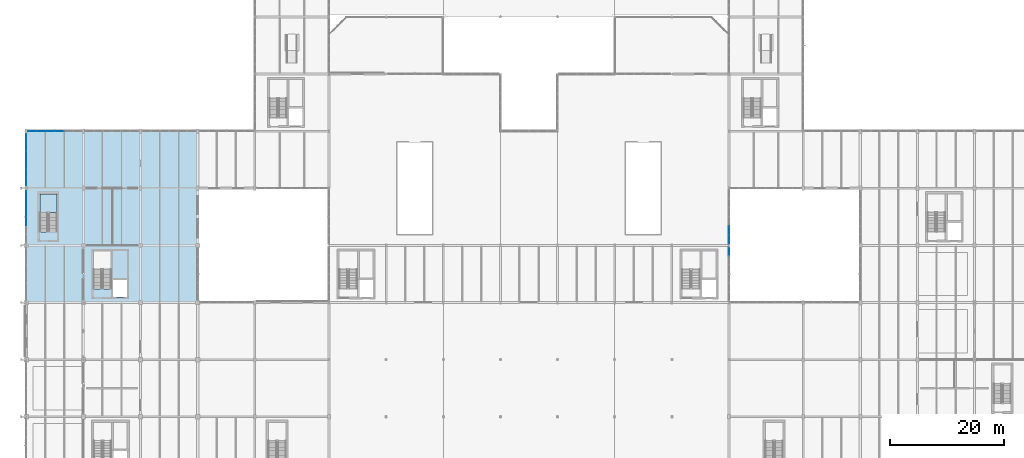
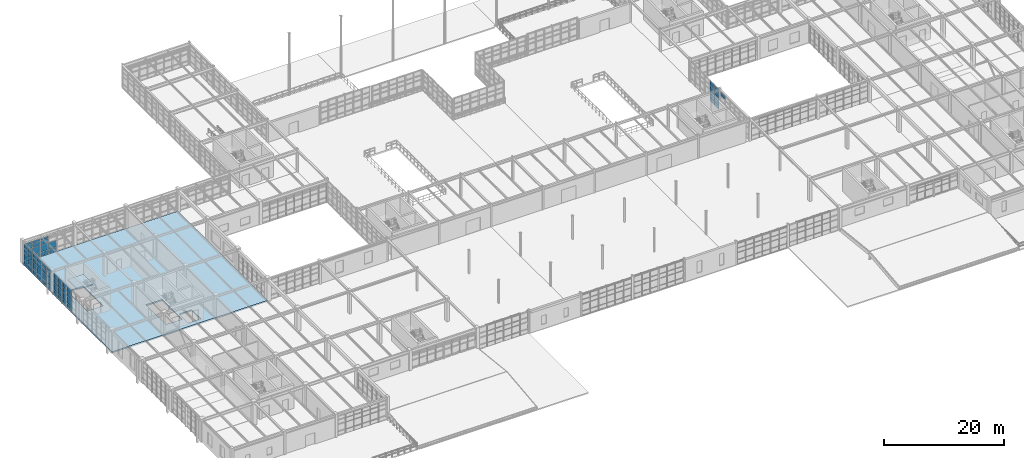
# One storey, part 88 of 139: 63 plates, 2 slabs, 6 elements without a shape of their own.
"""IFC4 building model written with IfcOpenShell, lengths in metres."""

from ifc_helpers import new_model, si_unit, direction, frame, origin, origin_2d, place, context, subcontext, project, spatial, polyline, rectangle, outline, extrude, material, layer, layer_set, type_object, element, aggregate, save


model = new_model("IFC4")

# Units and contexts
model_context = context("Model", 3, precision=1e-05, world=origin(), true_north=direction((0.0, 1.0)))
body_context = subcontext(model_context, "Body", "Model", "MODEL_VIEW")
ifc_project = project(units=[si_unit("LENGTHUNIT", "METRE"), si_unit("AREAUNIT", "SQUARE_METRE"), si_unit("VOLUMEUNIT", "CUBIC_METRE"), si_unit("PLANEANGLEUNIT", "RADIAN"), si_unit("MASSUNIT", "GRAM", prefix="KILO"), si_unit("THERMODYNAMICTEMPERATUREUNIT", "KELVIN"), si_unit("POWERUNIT", "WATT")], contexts=[model_context])

# Site, building, storey
site_placement = place(None, origin())
site = spatial("IfcSite", under=ifc_project, at=site_placement, CompositionType="ELEMENT")
building_placement = place(site_placement, origin())
building = spatial("IfcBuilding", under=site, at=building_placement, Name="Korenveer Ferry Terminal", CompositionType="ELEMENT")
storey_placement = place(building_placement, frame((0.0, 0.0, 5.39990234375)))
storey = spatial("IfcBuildingStorey", under=building, at=storey_placement, Name="L01", CompositionType="ELEMENT", Elevation=5.39990234375)

# Curtain wall, plates
ifc_material_1 = material(Name="Unitised bronze-and-glass curtain wall", Category="glass")
ifc_layer_1 = layer(ifc_material_1, 0.159912109375)
ifc_layer_set_1 = layer_set([ifc_layer_1], Name="Unitised bronze-and-glass curtain wall")
curtain_wall_type_1 = type_object("IfcCurtainWallType", Name="ENV-CW-60", PredefinedType="USERDEFINED", material=ifc_layer_set_1)
curtain_wall_1_placement = place(storey_placement, frame((0.0, 60.405029296875, 0.0)))
curtain_wall_1 = element("IfcCurtainWall", 1, at=curtain_wall_1_placement, inside=storey, type_object=curtain_wall_type_1, Name="Lancet curtain wall CWX-L01-X0-0-Y60-70", ObjectType="UNITISED CURTAIN WALL", PredefinedType="USERDEFINED")
ifc_material_2 = material(Name="Low-iron solar-control double glazing", Category="glass")
ifc_layer_2 = layer(ifc_material_2, 0.028076171875)
ifc_layer_set_2 = layer_set([ifc_layer_2], Name="Low-iron solar-control double glazing")
plate_type_1 = type_object("IfcPlateType", Name="ENV-CWP-GLZ28", PredefinedType="CURTAIN_PANEL", material=ifc_layer_set_2)
plate_1_placement = place(storey_placement, frame((0.0, 64.2236328125, 0.06005859375), z_axis=(0.0, 0.0, 1.0), x_axis=(0.0, 1.0, 0.0)))
plate_1 = element("IfcPlate", 2, at=plate_1_placement, type_object=plate_type_1, Name="CW-60 panel 3.1", PredefinedType="CURTAIN_PANEL", context=body_context, shape_type="SweptSolid", body=[
    extrude(rectangle(XDim=1.467529296875, YDim=0.028076171875, at=origin_2d()), origin(), (0.0, 0.0, 1.0), 0.81005859375),
])
plate_2_placement = place(storey_placement, frame((0.0, 64.2236328125, 0.93017578125), z_axis=(0.0, 0.0, 1.0), x_axis=(0.0, 1.0, 0.0)))
plate_2 = element("IfcPlate", 3, at=plate_2_placement, type_object=plate_type_1, Name="CW-60 panel 3.2", PredefinedType="CURTAIN_PANEL", context=body_context, shape_type="SweptSolid", body=[
    extrude(rectangle(XDim=1.467529296875, YDim=0.028076171875, at=origin_2d()), origin(), (0.0, 0.0, 1.0), 1.389892578125),
])
plate_3_placement = place(storey_placement, frame((0.0, 64.2236328125, 2.3798828125), z_axis=(0.0, 0.0, 1.0), x_axis=(0.0, 1.0, 0.0)))
plate_3 = element("IfcPlate", 4, at=plate_3_placement, type_object=plate_type_1, Name="CW-60 panel 3.3", PredefinedType="CURTAIN_PANEL", context=body_context, shape_type="SweptSolid", body=[
    extrude(rectangle(XDim=1.467529296875, YDim=0.028076171875, at=origin_2d()), origin(), (0.0, 0.0, 1.0), 0.840087890625),
])
plate_4_placement = place(storey_placement, frame((0.0, 64.2236328125, 3.2802734375), z_axis=(0.0, 0.0, 1.0), x_axis=(0.0, 1.0, 0.0)))
plate_4 = element("IfcPlate", 5, at=plate_4_placement, type_object=plate_type_1, Name="CW-60 panel 3.4", PredefinedType="CURTAIN_PANEL", context=body_context, shape_type="SweptSolid", body=[
    extrude(rectangle(XDim=1.467529296875, YDim=0.028076171875, at=origin_2d()), origin(), (0.0, 0.0, 1.0), 0.929931640625),
])
plate_5_placement = place(storey_placement, frame((0.0, 65.751220703125, 0.06005859375), z_axis=(0.0, 0.0, 1.0), x_axis=(0.0, 1.0, 0.0)))
plate_5 = element("IfcPlate", 6, at=plate_5_placement, type_object=plate_type_1, Name="CW-60 panel 4.1", PredefinedType="CURTAIN_PANEL", context=body_context, shape_type="SweptSolid", body=[
    extrude(rectangle(XDim=1.467529296875, YDim=0.028076171875, at=origin_2d()), origin(), (0.0, 0.0, 1.0), 0.81005859375),
])
plate_6_placement = place(storey_placement, frame((0.0, 65.751220703125, 0.93017578125), z_axis=(0.0, 0.0, 1.0), x_axis=(0.0, 1.0, 0.0)))
plate_6 = element("IfcPlate", 7, at=plate_6_placement, type_object=plate_type_1, Name="CW-60 panel 4.2", PredefinedType="CURTAIN_PANEL", context=body_context, shape_type="SweptSolid", body=[
    extrude(rectangle(XDim=1.467529296875, YDim=0.028076171875, at=origin_2d()), origin(), (0.0, 0.0, 1.0), 1.389892578125),
])
plate_7_placement = place(storey_placement, frame((0.0, 65.751220703125, 2.3798828125), z_axis=(0.0, 0.0, 1.0), x_axis=(0.0, 1.0, 0.0)))
plate_7 = element("IfcPlate", 8, at=plate_7_placement, type_object=plate_type_1, Name="CW-60 panel 4.3", PredefinedType="CURTAIN_PANEL", context=body_context, shape_type="SweptSolid", body=[
    extrude(rectangle(XDim=1.467529296875, YDim=0.028076171875, at=origin_2d()), origin(), (0.0, 0.0, 1.0), 0.840087890625),
])
plate_8_placement = place(storey_placement, frame((0.0, 65.751220703125, 3.2802734375), z_axis=(0.0, 0.0, 1.0), x_axis=(0.0, 1.0, 0.0)))
plate_8 = element("IfcPlate", 9, at=plate_8_placement, type_object=plate_type_1, Name="CW-60 panel 4.4", PredefinedType="CURTAIN_PANEL", context=body_context, shape_type="SweptSolid", body=[
    extrude(rectangle(XDim=1.467529296875, YDim=0.028076171875, at=origin_2d()), origin(), (0.0, 0.0, 1.0), 0.929931640625),
])
plate_9_placement = place(storey_placement, frame((0.0, 67.27880859375, 0.06005859375), z_axis=(0.0, 0.0, 1.0), x_axis=(0.0, 1.0, 0.0)))
plate_9 = element("IfcPlate", 10, at=plate_9_placement, type_object=plate_type_1, Name="CW-60 panel 5.1", PredefinedType="CURTAIN_PANEL", context=body_context, shape_type="SweptSolid", body=[
    extrude(rectangle(XDim=1.467529296875, YDim=0.028076171875, at=origin_2d()), origin(), (0.0, 0.0, 1.0), 0.81005859375),
])
plate_10_placement = place(storey_placement, frame((0.0, 67.27880859375, 0.93017578125), z_axis=(0.0, 0.0, 1.0), x_axis=(0.0, 1.0, 0.0)))
plate_10 = element("IfcPlate", 11, at=plate_10_placement, type_object=plate_type_1, Name="CW-60 panel 5.2", PredefinedType="CURTAIN_PANEL", context=body_context, shape_type="SweptSolid", body=[
    extrude(rectangle(XDim=1.467529296875, YDim=0.028076171875, at=origin_2d()), origin(), (0.0, 0.0, 1.0), 1.389892578125),
])
plate_11_placement = place(storey_placement, frame((0.0, 67.27880859375, 2.3798828125), z_axis=(0.0, 0.0, 1.0), x_axis=(0.0, 1.0, 0.0)))
plate_11 = element("IfcPlate", 12, at=plate_11_placement, type_object=plate_type_1, Name="CW-60 panel 5.3", PredefinedType="CURTAIN_PANEL", context=body_context, shape_type="SweptSolid", body=[
    extrude(rectangle(XDim=1.467529296875, YDim=0.028076171875, at=origin_2d()), origin(), (0.0, 0.0, 1.0), 0.840087890625),
])
plate_12_placement = place(storey_placement, frame((0.0, 67.27880859375, 3.2802734375), z_axis=(0.0, 0.0, 1.0), x_axis=(0.0, 1.0, 0.0)))
plate_12 = element("IfcPlate", 13, at=plate_12_placement, type_object=plate_type_1, Name="CW-60 panel 5.4", PredefinedType="CURTAIN_PANEL", context=body_context, shape_type="SweptSolid", body=[
    extrude(rectangle(XDim=1.467529296875, YDim=0.028076171875, at=origin_2d()), origin(), (0.0, 0.0, 1.0), 0.929931640625),
])
plate_13_placement = place(storey_placement, frame((0.0, 68.791259765625, 0.06005859375), z_axis=(0.0, 0.0, 1.0), x_axis=(0.0, 1.0, 0.0)))
plate_13 = element("IfcPlate", 14, at=plate_13_placement, type_object=plate_type_1, Name="CW-60 panel 6.1", PredefinedType="CURTAIN_PANEL", context=body_context, shape_type="SweptSolid", body=[
    extrude(rectangle(XDim=1.4375, YDim=0.028076171875, at=origin_2d()), origin(), (0.0, 0.0, 1.0), 0.81005859375),
])
plate_14_placement = place(storey_placement, frame((0.0, 68.791259765625, 0.93017578125), z_axis=(0.0, 0.0, 1.0), x_axis=(0.0, 1.0, 0.0)))
plate_14 = element("IfcPlate", 15, at=plate_14_placement, type_object=plate_type_1, Name="CW-60 panel 6.2", PredefinedType="CURTAIN_PANEL", context=body_context, shape_type="SweptSolid", body=[
    extrude(rectangle(XDim=1.4375, YDim=0.028076171875, at=origin_2d()), origin(), (0.0, 0.0, 1.0), 1.389892578125),
])
plate_15_placement = place(storey_placement, frame((0.0, 68.791259765625, 2.3798828125), z_axis=(0.0, 0.0, 1.0), x_axis=(0.0, 1.0, 0.0)))
plate_15 = element("IfcPlate", 16, at=plate_15_placement, type_object=plate_type_1, Name="CW-60 panel 6.3", PredefinedType="CURTAIN_PANEL", context=body_context, shape_type="SweptSolid", body=[
    extrude(rectangle(XDim=1.4375, YDim=0.028076171875, at=origin_2d()), origin(), (0.0, 0.0, 1.0), 0.840087890625),
])
plate_16_placement = place(storey_placement, frame((0.0, 68.791259765625, 3.2802734375), z_axis=(0.0, 0.0, 1.0), x_axis=(0.0, 1.0, 0.0)))
plate_16 = element("IfcPlate", 17, at=plate_16_placement, type_object=plate_type_1, Name="CW-60 panel 6.4", PredefinedType="CURTAIN_PANEL", context=body_context, shape_type="SweptSolid", body=[
    extrude(rectangle(XDim=1.4375, YDim=0.028076171875, at=origin_2d()), origin(), (0.0, 0.0, 1.0), 0.929931640625),
])
aggregate(curtain_wall_1, [plate_1, plate_2, plate_3, plate_4, plate_5, plate_6, plate_7, plate_8, plate_9, plate_10, plate_11, plate_12, plate_13, plate_14, plate_15, plate_16])

ifc_layer_3 = layer(ifc_material_1, 0.219970703125)
ifc_layer_set_3 = layer_set([ifc_layer_3], Name="Unitised bronze-and-glass curtain wall")
curtain_wall_type_2 = type_object("IfcCurtainWallType", Name="ENV-CW-48", PredefinedType="USERDEFINED", material=ifc_layer_set_3)
curtain_wall_2_placement = place(storey_placement, frame((0.280029296875, 80.0, 0.0)))
curtain_wall_2 = element("IfcCurtainWall", 18, at=curtain_wall_2_placement, inside=storey, type_object=curtain_wall_type_2, Name="Lancet curtain wall CWX-L01-X0-10-Y80-80", ObjectType="UNITISED CURTAIN WALL", PredefinedType="USERDEFINED")
ifc_material_3 = material(Name="Acoustic laminated marine glazing", Category="glass")
ifc_layer_4 = layer(ifc_material_3, 0.035888671875)
ifc_layer_set_4 = layer_set([ifc_layer_4], Name="Acoustic laminated marine glazing")
plate_type_2 = type_object("IfcPlateType", Name="ENV-CWP-GLZ36", PredefinedType="CURTAIN_PANEL", material=ifc_layer_set_4)
plate_17_placement = place(storey_placement, frame((1.08544921875, 80.0, 0.074951171875), z_axis=(0.0, 0.0, 1.0), x_axis=(1.0, 0.0, 0.0)))
plate_17 = element("IfcPlate", 19, at=plate_17_placement, type_object=plate_type_2, Name="CW-48 panel 1.1", PredefinedType="CURTAIN_PANEL", context=body_context, shape_type="SweptSolid", body=[
    extrude(rectangle(XDim=1.4609375, YDim=0.035888671875, at=origin_2d()), origin(), (0.0, 0.0, 1.0), 0.78759765625),
])
plate_18_placement = place(storey_placement, frame((1.08544921875, 80.0, 0.9375), z_axis=(0.0, 0.0, 1.0), x_axis=(1.0, 0.0, 0.0)))
plate_18 = element("IfcPlate", 20, at=plate_18_placement, type_object=plate_type_2, Name="CW-48 panel 1.2", PredefinedType="CURTAIN_PANEL", context=body_context, shape_type="SweptSolid", body=[
    extrude(rectangle(XDim=1.4609375, YDim=0.035888671875, at=origin_2d()), origin(), (0.0, 0.0, 1.0), 1.375),
])
plate_19_placement = place(storey_placement, frame((1.08544921875, 80.0, 2.3876953125), z_axis=(0.0, 0.0, 1.0), x_axis=(1.0, 0.0, 0.0)))
plate_19 = element("IfcPlate", 21, at=plate_19_placement, type_object=plate_type_2, Name="CW-48 panel 1.3", PredefinedType="CURTAIN_PANEL", context=body_context, shape_type="SweptSolid", body=[
    extrude(rectangle(XDim=1.4609375, YDim=0.035888671875, at=origin_2d()), origin(), (0.0, 0.0, 1.0), 0.824951171875),
])
plate_20_placement = place(storey_placement, frame((1.08544921875, 80.0, 3.28759765625), z_axis=(0.0, 0.0, 1.0), x_axis=(1.0, 0.0, 0.0)))
plate_20 = element("IfcPlate", 22, at=plate_20_placement, type_object=plate_type_2, Name="CW-48 panel 1.4", PredefinedType="CURTAIN_PANEL", context=body_context, shape_type="SweptSolid", body=[
    extrude(rectangle(XDim=1.4609375, YDim=0.035888671875, at=origin_2d()), origin(), (0.0, 0.0, 1.0), 0.407470703125),
])
plate_21_placement = place(storey_placement, frame((2.639892578125, 80.0, 0.074951171875), z_axis=(0.0, 0.0, 1.0), x_axis=(1.0, 0.0, 0.0)))
plate_21 = element("IfcPlate", 23, at=plate_21_placement, type_object=plate_type_2, Name="CW-48 panel 2.1", PredefinedType="CURTAIN_PANEL", context=body_context, shape_type="SweptSolid", body=[
    extrude(rectangle(XDim=1.498291015625, YDim=0.035888671875, at=origin_2d()), origin(), (0.0, 0.0, 1.0), 0.78759765625),
])
plate_22_placement = place(storey_placement, frame((2.639892578125, 80.0, 0.9375), z_axis=(0.0, 0.0, 1.0), x_axis=(1.0, 0.0, 0.0)))
plate_22 = element("IfcPlate", 24, at=plate_22_placement, type_object=plate_type_2, Name="CW-48 panel 2.2", PredefinedType="CURTAIN_PANEL", context=body_context, shape_type="SweptSolid", body=[
    extrude(rectangle(XDim=1.498291015625, YDim=0.035888671875, at=origin_2d()), origin(), (0.0, 0.0, 1.0), 1.375),
])
plate_23_placement = place(storey_placement, frame((2.639892578125, 80.0, 2.3876953125), z_axis=(0.0, 0.0, 1.0), x_axis=(1.0, 0.0, 0.0)))
plate_23 = element("IfcPlate", 25, at=plate_23_placement, type_object=plate_type_2, Name="CW-48 panel 2.3", PredefinedType="CURTAIN_PANEL", context=body_context, shape_type="SweptSolid", body=[
    extrude(rectangle(XDim=1.498291015625, YDim=0.035888671875, at=origin_2d()), origin(), (0.0, 0.0, 1.0), 0.824951171875),
])
plate_24_placement = place(storey_placement, frame((2.639892578125, 80.0, 3.28759765625), z_axis=(0.0, 0.0, 1.0), x_axis=(1.0, 0.0, 0.0)))
plate_24 = element("IfcPlate", 26, at=plate_24_placement, type_object=plate_type_2, Name="CW-48 panel 2.4", PredefinedType="CURTAIN_PANEL", context=body_context, shape_type="SweptSolid", body=[
    extrude(rectangle(XDim=1.498291015625, YDim=0.035888671875, at=origin_2d()), origin(), (0.0, 0.0, 1.0), 0.407470703125),
])
plate_25_placement = place(storey_placement, frame((4.21337890625, 80.0, 0.074951171875), z_axis=(0.0, 0.0, 1.0), x_axis=(1.0, 0.0, 0.0)))
plate_25 = element("IfcPlate", 27, at=plate_25_placement, type_object=plate_type_2, Name="CW-48 panel 3.1", PredefinedType="CURTAIN_PANEL", context=body_context, shape_type="SweptSolid", body=[
    extrude(rectangle(XDim=1.498291015625, YDim=0.035888671875, at=origin_2d()), origin(), (0.0, 0.0, 1.0), 0.78759765625),
])
plate_26_placement = place(storey_placement, frame((4.21337890625, 80.0, 0.9375), z_axis=(0.0, 0.0, 1.0), x_axis=(1.0, 0.0, 0.0)))
plate_26 = element("IfcPlate", 28, at=plate_26_placement, type_object=plate_type_2, Name="CW-48 panel 3.2", PredefinedType="CURTAIN_PANEL", context=body_context, shape_type="SweptSolid", body=[
    extrude(rectangle(XDim=1.498291015625, YDim=0.035888671875, at=origin_2d()), origin(), (0.0, 0.0, 1.0), 1.375),
])
plate_27_placement = place(storey_placement, frame((4.21337890625, 80.0, 2.3876953125), z_axis=(0.0, 0.0, 1.0), x_axis=(1.0, 0.0, 0.0)))
plate_27 = element("IfcPlate", 29, at=plate_27_placement, type_object=plate_type_2, Name="CW-48 panel 3.3", PredefinedType="CURTAIN_PANEL", context=body_context, shape_type="SweptSolid", body=[
    extrude(rectangle(XDim=1.498291015625, YDim=0.035888671875, at=origin_2d()), origin(), (0.0, 0.0, 1.0), 0.824951171875),
])
plate_28_placement = place(storey_placement, frame((4.21337890625, 80.0, 3.28759765625), z_axis=(0.0, 0.0, 1.0), x_axis=(1.0, 0.0, 0.0)))
plate_28 = element("IfcPlate", 30, at=plate_28_placement, type_object=plate_type_2, Name="CW-48 panel 3.4", PredefinedType="CURTAIN_PANEL", context=body_context, shape_type="SweptSolid", body=[
    extrude(rectangle(XDim=1.498291015625, YDim=0.035888671875, at=origin_2d()), origin(), (0.0, 0.0, 1.0), 0.407470703125),
])
plate_29_placement = place(storey_placement, frame((5.78662109375, 80.0, 0.074951171875), z_axis=(0.0, 0.0, 1.0), x_axis=(1.0, 0.0, 0.0)))
plate_29 = element("IfcPlate", 31, at=plate_29_placement, type_object=plate_type_2, Name="CW-48 panel 4.1", PredefinedType="CURTAIN_PANEL", context=body_context, shape_type="SweptSolid", body=[
    extrude(rectangle(XDim=1.498291015625, YDim=0.035888671875, at=origin_2d()), origin(), (0.0, 0.0, 1.0), 0.78759765625),
])
plate_30_placement = place(storey_placement, frame((5.78662109375, 80.0, 0.9375), z_axis=(0.0, 0.0, 1.0), x_axis=(1.0, 0.0, 0.0)))
plate_30 = element("IfcPlate", 32, at=plate_30_placement, type_object=plate_type_2, Name="CW-48 panel 4.2", PredefinedType="CURTAIN_PANEL", context=body_context, shape_type="SweptSolid", body=[
    extrude(rectangle(XDim=1.498291015625, YDim=0.035888671875, at=origin_2d()), origin(), (0.0, 0.0, 1.0), 1.375),
])
aggregate(curtain_wall_2, [plate_17, plate_18, plate_19, plate_20, plate_21, plate_22, plate_23, plate_24, plate_25, plate_26, plate_27, plate_28, plate_29, plate_30])

ifc_layer_5 = layer(ifc_material_1, 0.219970703125)
ifc_layer_set_5 = layer_set([ifc_layer_5], Name="Unitised bronze-and-glass curtain wall")
curtain_wall_type_3 = type_object("IfcCurtainWallType", Name="ENV-CW-61", PredefinedType="USERDEFINED", material=ifc_layer_set_5)
curtain_wall_3_placement = place(storey_placement, frame((0.0, 70.429931640625, 0.0)))
curtain_wall_3 = element("IfcCurtainWall", 33, at=curtain_wall_3_placement, inside=storey, type_object=curtain_wall_type_3, Name="Lancet curtain wall CWX-L01-X0-0-Y70-80", ObjectType="UNITISED CURTAIN WALL", PredefinedType="USERDEFINED")
plate_31_placement = place(storey_placement, frame((0.0, 71.21044921875, 0.074951171875), z_axis=(0.0, 0.0, 1.0), x_axis=(0.0, 1.0, 0.0)))
plate_31 = element("IfcPlate", 34, at=plate_31_placement, type_object=plate_type_2, Name="CW-61 panel 1.1", PredefinedType="CURTAIN_PANEL", context=body_context, shape_type="SweptSolid", body=[
    extrude(rectangle(XDim=1.410888671875, YDim=0.035888671875, at=origin_2d()), origin(), (0.0, 0.0, 1.0), 0.78759765625),
])
plate_32_placement = place(storey_placement, frame((0.0, 71.21044921875, 0.9375), z_axis=(0.0, 0.0, 1.0), x_axis=(0.0, 1.0, 0.0)))
plate_32 = element("IfcPlate", 35, at=plate_32_placement, type_object=plate_type_2, Name="CW-61 panel 1.2", PredefinedType="CURTAIN_PANEL", context=body_context, shape_type="SweptSolid", body=[
    extrude(rectangle(XDim=1.410888671875, YDim=0.035888671875, at=origin_2d()), origin(), (0.0, 0.0, 1.0), 1.375),
])
plate_33_placement = place(storey_placement, frame((0.0, 71.21044921875, 2.3876953125), z_axis=(0.0, 0.0, 1.0), x_axis=(0.0, 1.0, 0.0)))
plate_33 = element("IfcPlate", 36, at=plate_33_placement, type_object=plate_type_2, Name="CW-61 panel 1.3", PredefinedType="CURTAIN_PANEL", context=body_context, shape_type="SweptSolid", body=[
    extrude(rectangle(XDim=1.410888671875, YDim=0.035888671875, at=origin_2d()), origin(), (0.0, 0.0, 1.0), 0.824951171875),
])
plate_34_placement = place(storey_placement, frame((0.0, 71.21044921875, 3.28759765625), z_axis=(0.0, 0.0, 1.0), x_axis=(0.0, 1.0, 0.0)))
plate_34 = element("IfcPlate", 37, at=plate_34_placement, type_object=plate_type_2, Name="CW-61 panel 1.4", PredefinedType="CURTAIN_PANEL", context=body_context, shape_type="SweptSolid", body=[
    extrude(rectangle(XDim=1.410888671875, YDim=0.035888671875, at=origin_2d()), origin(), (0.0, 0.0, 1.0), 0.8076171875),
])
plate_35_placement = place(storey_placement, frame((0.0, 72.715087890625, 0.074951171875), z_axis=(0.0, 0.0, 1.0), x_axis=(0.0, 1.0, 0.0)))
plate_35 = element("IfcPlate", 38, at=plate_35_placement, type_object=plate_type_2, Name="CW-61 panel 2.1", PredefinedType="CURTAIN_PANEL", context=body_context, shape_type="SweptSolid", body=[
    extrude(rectangle(XDim=1.4482421875, YDim=0.035888671875, at=origin_2d()), origin(), (0.0, 0.0, 1.0), 0.78759765625),
])
plate_36_placement = place(storey_placement, frame((0.0, 72.715087890625, 0.9375), z_axis=(0.0, 0.0, 1.0), x_axis=(0.0, 1.0, 0.0)))
plate_36 = element("IfcPlate", 39, at=plate_36_placement, type_object=plate_type_2, Name="CW-61 panel 2.2", PredefinedType="CURTAIN_PANEL", context=body_context, shape_type="SweptSolid", body=[
    extrude(rectangle(XDim=1.4482421875, YDim=0.035888671875, at=origin_2d()), origin(), (0.0, 0.0, 1.0), 1.375),
])
plate_37_placement = place(storey_placement, frame((0.0, 72.715087890625, 2.3876953125), z_axis=(0.0, 0.0, 1.0), x_axis=(0.0, 1.0, 0.0)))
plate_37 = element("IfcPlate", 40, at=plate_37_placement, type_object=plate_type_2, Name="CW-61 panel 2.3", PredefinedType="CURTAIN_PANEL", context=body_context, shape_type="SweptSolid", body=[
    extrude(rectangle(XDim=1.4482421875, YDim=0.035888671875, at=origin_2d()), origin(), (0.0, 0.0, 1.0), 0.824951171875),
])
plate_38_placement = place(storey_placement, frame((0.0, 72.715087890625, 3.28759765625), z_axis=(0.0, 0.0, 1.0), x_axis=(0.0, 1.0, 0.0)))
plate_38 = element("IfcPlate", 41, at=plate_38_placement, type_object=plate_type_2, Name="CW-61 panel 2.4", PredefinedType="CURTAIN_PANEL", context=body_context, shape_type="SweptSolid", body=[
    extrude(rectangle(XDim=1.4482421875, YDim=0.035888671875, at=origin_2d()), origin(), (0.0, 0.0, 1.0), 0.8076171875),
])
plate_39_placement = place(storey_placement, frame((0.0, 74.23828125, 0.074951171875), z_axis=(0.0, 0.0, 1.0), x_axis=(0.0, 1.0, 0.0)))
plate_39 = element("IfcPlate", 42, at=plate_39_placement, type_object=plate_type_2, Name="CW-61 panel 3.1", PredefinedType="CURTAIN_PANEL", context=body_context, shape_type="SweptSolid", body=[
    extrude(rectangle(XDim=1.4482421875, YDim=0.035888671875, at=origin_2d()), origin(), (0.0, 0.0, 1.0), 0.78759765625),
])
plate_40_placement = place(storey_placement, frame((0.0, 74.23828125, 0.9375), z_axis=(0.0, 0.0, 1.0), x_axis=(0.0, 1.0, 0.0)))
plate_40 = element("IfcPlate", 43, at=plate_40_placement, type_object=plate_type_2, Name="CW-61 panel 3.2", PredefinedType="CURTAIN_PANEL", context=body_context, shape_type="SweptSolid", body=[
    extrude(rectangle(XDim=1.4482421875, YDim=0.035888671875, at=origin_2d()), origin(), (0.0, 0.0, 1.0), 1.375),
])
plate_41_placement = place(storey_placement, frame((0.0, 74.23828125, 2.3876953125), z_axis=(0.0, 0.0, 1.0), x_axis=(0.0, 1.0, 0.0)))
plate_41 = element("IfcPlate", 44, at=plate_41_placement, type_object=plate_type_2, Name="CW-61 panel 3.3", PredefinedType="CURTAIN_PANEL", context=body_context, shape_type="SweptSolid", body=[
    extrude(rectangle(XDim=1.4482421875, YDim=0.035888671875, at=origin_2d()), origin(), (0.0, 0.0, 1.0), 0.824951171875),
])
plate_42_placement = place(storey_placement, frame((0.0, 74.23828125, 3.28759765625), z_axis=(0.0, 0.0, 1.0), x_axis=(0.0, 1.0, 0.0)))
plate_42 = element("IfcPlate", 45, at=plate_42_placement, type_object=plate_type_2, Name="CW-61 panel 3.4", PredefinedType="CURTAIN_PANEL", context=body_context, shape_type="SweptSolid", body=[
    extrude(rectangle(XDim=1.4482421875, YDim=0.035888671875, at=origin_2d()), origin(), (0.0, 0.0, 1.0), 0.8076171875),
])
plate_43_placement = place(storey_placement, frame((0.0, 75.76171875, 0.074951171875), z_axis=(0.0, 0.0, 1.0), x_axis=(0.0, 1.0, 0.0)))
plate_43 = element("IfcPlate", 46, at=plate_43_placement, type_object=plate_type_2, Name="CW-61 panel 4.1", PredefinedType="CURTAIN_PANEL", context=body_context, shape_type="SweptSolid", body=[
    extrude(rectangle(XDim=1.4482421875, YDim=0.035888671875, at=origin_2d()), origin(), (0.0, 0.0, 1.0), 0.78759765625),
])
plate_44_placement = place(storey_placement, frame((0.0, 75.76171875, 0.9375), z_axis=(0.0, 0.0, 1.0), x_axis=(0.0, 1.0, 0.0)))
plate_44 = element("IfcPlate", 47, at=plate_44_placement, type_object=plate_type_2, Name="CW-61 panel 4.2", PredefinedType="CURTAIN_PANEL", context=body_context, shape_type="SweptSolid", body=[
    extrude(rectangle(XDim=1.4482421875, YDim=0.035888671875, at=origin_2d()), origin(), (0.0, 0.0, 1.0), 1.375),
])
plate_45_placement = place(storey_placement, frame((0.0, 75.76171875, 2.3876953125), z_axis=(0.0, 0.0, 1.0), x_axis=(0.0, 1.0, 0.0)))
plate_45 = element("IfcPlate", 48, at=plate_45_placement, type_object=plate_type_2, Name="CW-61 panel 4.3", PredefinedType="CURTAIN_PANEL", context=body_context, shape_type="SweptSolid", body=[
    extrude(rectangle(XDim=1.4482421875, YDim=0.035888671875, at=origin_2d()), origin(), (0.0, 0.0, 1.0), 0.824951171875),
])
plate_46_placement = place(storey_placement, frame((0.0, 75.76171875, 3.28759765625), z_axis=(0.0, 0.0, 1.0), x_axis=(0.0, 1.0, 0.0)))
plate_46 = element("IfcPlate", 49, at=plate_46_placement, type_object=plate_type_2, Name="CW-61 panel 4.4", PredefinedType="CURTAIN_PANEL", context=body_context, shape_type="SweptSolid", body=[
    extrude(rectangle(XDim=1.4482421875, YDim=0.035888671875, at=origin_2d()), origin(), (0.0, 0.0, 1.0), 0.8076171875),
])
plate_47_placement = place(storey_placement, frame((0.0, 77.284912109375, 0.074951171875), z_axis=(0.0, 0.0, 1.0), x_axis=(0.0, 1.0, 0.0)))
plate_47 = element("IfcPlate", 50, at=plate_47_placement, type_object=plate_type_2, Name="CW-61 panel 5.1", PredefinedType="CURTAIN_PANEL", context=body_context, shape_type="SweptSolid", body=[
    extrude(rectangle(XDim=1.4482421875, YDim=0.035888671875, at=origin_2d()), origin(), (0.0, 0.0, 1.0), 0.78759765625),
])
plate_48_placement = place(storey_placement, frame((0.0, 77.284912109375, 0.9375), z_axis=(0.0, 0.0, 1.0), x_axis=(0.0, 1.0, 0.0)))
plate_48 = element("IfcPlate", 51, at=plate_48_placement, type_object=plate_type_2, Name="CW-61 panel 5.2", PredefinedType="CURTAIN_PANEL", context=body_context, shape_type="SweptSolid", body=[
    extrude(rectangle(XDim=1.4482421875, YDim=0.035888671875, at=origin_2d()), origin(), (0.0, 0.0, 1.0), 1.375),
])
plate_49_placement = place(storey_placement, frame((0.0, 77.284912109375, 2.3876953125), z_axis=(0.0, 0.0, 1.0), x_axis=(0.0, 1.0, 0.0)))
plate_49 = element("IfcPlate", 52, at=plate_49_placement, type_object=plate_type_2, Name="CW-61 panel 5.3", PredefinedType="CURTAIN_PANEL", context=body_context, shape_type="SweptSolid", body=[
    extrude(rectangle(XDim=1.4482421875, YDim=0.035888671875, at=origin_2d()), origin(), (0.0, 0.0, 1.0), 0.824951171875),
])
plate_50_placement = place(storey_placement, frame((0.0, 77.284912109375, 3.28759765625), z_axis=(0.0, 0.0, 1.0), x_axis=(0.0, 1.0, 0.0)))
plate_50 = element("IfcPlate", 53, at=plate_50_placement, type_object=plate_type_2, Name="CW-61 panel 5.4", PredefinedType="CURTAIN_PANEL", context=body_context, shape_type="SweptSolid", body=[
    extrude(rectangle(XDim=1.4482421875, YDim=0.035888671875, at=origin_2d()), origin(), (0.0, 0.0, 1.0), 0.8076171875),
])
plate_51_placement = place(storey_placement, frame((0.0, 78.78955078125, 0.074951171875), z_axis=(0.0, 0.0, 1.0), x_axis=(0.0, 1.0, 0.0)))
plate_51 = element("IfcPlate", 54, at=plate_51_placement, type_object=plate_type_2, Name="CW-61 panel 6.1", PredefinedType="CURTAIN_PANEL", context=body_context, shape_type="SweptSolid", body=[
    extrude(rectangle(XDim=1.410888671875, YDim=0.035888671875, at=origin_2d()), origin(), (0.0, 0.0, 1.0), 0.78759765625),
])
plate_52_placement = place(storey_placement, frame((0.0, 78.78955078125, 0.9375), z_axis=(0.0, 0.0, 1.0), x_axis=(0.0, 1.0, 0.0)))
plate_52 = element("IfcPlate", 55, at=plate_52_placement, type_object=plate_type_2, Name="CW-61 panel 6.2", PredefinedType="CURTAIN_PANEL", context=body_context, shape_type="SweptSolid", body=[
    extrude(rectangle(XDim=1.410888671875, YDim=0.035888671875, at=origin_2d()), origin(), (0.0, 0.0, 1.0), 1.375),
])
plate_53_placement = place(storey_placement, frame((0.0, 78.78955078125, 2.3876953125), z_axis=(0.0, 0.0, 1.0), x_axis=(0.0, 1.0, 0.0)))
plate_53 = element("IfcPlate", 56, at=plate_53_placement, type_object=plate_type_2, Name="CW-61 panel 6.3", PredefinedType="CURTAIN_PANEL", context=body_context, shape_type="SweptSolid", body=[
    extrude(rectangle(XDim=1.410888671875, YDim=0.035888671875, at=origin_2d()), origin(), (0.0, 0.0, 1.0), 0.824951171875),
])
plate_54_placement = place(storey_placement, frame((0.0, 78.78955078125, 3.28759765625), z_axis=(0.0, 0.0, 1.0), x_axis=(0.0, 1.0, 0.0)))
plate_54 = element("IfcPlate", 57, at=plate_54_placement, type_object=plate_type_2, Name="CW-61 panel 6.4", PredefinedType="CURTAIN_PANEL", context=body_context, shape_type="SweptSolid", body=[
    extrude(rectangle(XDim=1.410888671875, YDim=0.035888671875, at=origin_2d()), origin(), (0.0, 0.0, 1.0), 0.8076171875),
])
aggregate(curtain_wall_3, [plate_31, plate_32, plate_33, plate_34, plate_35, plate_36, plate_37, plate_38, plate_39, plate_40, plate_41, plate_42, plate_43, plate_44, plate_45, plate_46, plate_47, plate_48, plate_49, plate_50, plate_51, plate_52, plate_53, plate_54])

# Curtain wall, plate
ifc_layer_6 = layer(ifc_material_1, 0.219970703125)
ifc_layer_set_6 = layer_set([ifc_layer_6], Name="Unitised bronze-and-glass curtain wall")
curtain_wall_type_4 = type_object("IfcCurtainWallType", Name="ENV-CW-73", PredefinedType="USERDEFINED", material=ifc_layer_set_6)
curtain_wall_4_placement = place(storey_placement, frame((123.0, 59.7900390625, 0.0)))
curtain_wall_4 = element("IfcCurtainWall", 58, at=curtain_wall_4_placement, inside=storey, type_object=curtain_wall_type_4, Name="Lancet curtain wall CWX-L01-X123-123-Y50-60", ObjectType="UNITISED CURTAIN WALL", PredefinedType="USERDEFINED")
plate_55_placement = place(storey_placement, frame((123.0, 58.972900390625, 3.28759765625), z_axis=(0.0, 0.0, 1.0), x_axis=(0.0, -1.0, 0.0)))
plate_55 = element("IfcPlate", 59, at=plate_55_placement, type_object=plate_type_2, Name="CW-73 panel 1.4", PredefinedType="CURTAIN_PANEL", context=body_context, shape_type="SweptSolid", body=[
    extrude(rectangle(XDim=1.484130859375, YDim=0.035888671875, at=origin_2d()), origin(), (0.0, 0.0, 1.0), 0.767578125),
])
aggregate(curtain_wall_4, [plate_55])

# Curtain wall, plates
ifc_layer_7 = layer(ifc_material_1, 0.219970703125)
ifc_layer_set_7 = layer_set([ifc_layer_7], Name="Unitised bronze-and-glass curtain wall")
curtain_wall_type_5 = type_object("IfcCurtainWallType", Name="ENV-CW-74", PredefinedType="USERDEFINED", material=ifc_layer_set_7)
curtain_wall_5_placement = place(storey_placement, frame((123.0, 69.7900390625, 0.0)))
curtain_wall_5 = element("IfcCurtainWall", 60, at=curtain_wall_5_placement, inside=storey, type_object=curtain_wall_type_5, Name="Lancet curtain wall CWX-L01-X123-123-Y60-70", ObjectType="UNITISED CURTAIN WALL", PredefinedType="USERDEFINED")
plate_56_placement = place(storey_placement, frame((123.0, 62.60498046875, 0.074951171875), z_axis=(0.0, 0.0, 1.0), x_axis=(0.0, -1.0, 0.0)))
plate_56 = element("IfcPlate", 61, at=plate_56_placement, type_object=plate_type_2, Name="CW-74 panel 5.1", PredefinedType="CURTAIN_PANEL", context=body_context, shape_type="SweptSolid", body=[
    extrude(rectangle(XDim=1.521728515625, YDim=0.035888671875, at=origin_2d()), origin(), (0.0, 0.0, 1.0), 0.78759765625),
])
plate_57_placement = place(storey_placement, frame((123.0, 62.60498046875, 0.9375), z_axis=(0.0, 0.0, 1.0), x_axis=(0.0, -1.0, 0.0)))
plate_57 = element("IfcPlate", 62, at=plate_57_placement, type_object=plate_type_2, Name="CW-74 panel 5.2", PredefinedType="CURTAIN_PANEL", context=body_context, shape_type="SweptSolid", body=[
    extrude(rectangle(XDim=1.521728515625, YDim=0.035888671875, at=origin_2d()), origin(), (0.0, 0.0, 1.0), 1.375),
])
plate_58_placement = place(storey_placement, frame((123.0, 62.60498046875, 2.3876953125), z_axis=(0.0, 0.0, 1.0), x_axis=(0.0, -1.0, 0.0)))
plate_58 = element("IfcPlate", 63, at=plate_58_placement, type_object=plate_type_2, Name="CW-74 panel 5.3", PredefinedType="CURTAIN_PANEL", context=body_context, shape_type="SweptSolid", body=[
    extrude(rectangle(XDim=1.521728515625, YDim=0.035888671875, at=origin_2d()), origin(), (0.0, 0.0, 1.0), 0.824951171875),
])
plate_59_placement = place(storey_placement, frame((123.0, 62.60498046875, 3.28759765625), z_axis=(0.0, 0.0, 1.0), x_axis=(0.0, -1.0, 0.0)))
plate_59 = element("IfcPlate", 64, at=plate_59_placement, type_object=plate_type_2, Name="CW-74 panel 5.4", PredefinedType="CURTAIN_PANEL", context=body_context, shape_type="SweptSolid", body=[
    extrude(rectangle(XDim=1.521728515625, YDim=0.035888671875, at=origin_2d()), origin(), (0.0, 0.0, 1.0), 0.8974609375),
])
plate_60_placement = place(storey_placement, frame((123.0, 61.027099609375, 0.074951171875), z_axis=(0.0, 0.0, 1.0), x_axis=(0.0, -1.0, 0.0)))
plate_60 = element("IfcPlate", 65, at=plate_60_placement, type_object=plate_type_2, Name="CW-74 panel 6.1", PredefinedType="CURTAIN_PANEL", context=body_context, shape_type="SweptSolid", body=[
    extrude(rectangle(XDim=1.484130859375, YDim=0.035888671875, at=origin_2d()), origin(), (0.0, 0.0, 1.0), 0.78759765625),
])
plate_61_placement = place(storey_placement, frame((123.0, 61.027099609375, 0.9375), z_axis=(0.0, 0.0, 1.0), x_axis=(0.0, -1.0, 0.0)))
plate_61 = element("IfcPlate", 66, at=plate_61_placement, type_object=plate_type_2, Name="CW-74 panel 6.2", PredefinedType="CURTAIN_PANEL", context=body_context, shape_type="SweptSolid", body=[
    extrude(rectangle(XDim=1.484130859375, YDim=0.035888671875, at=origin_2d()), origin(), (0.0, 0.0, 1.0), 1.375),
])
plate_62_placement = place(storey_placement, frame((123.0, 61.027099609375, 2.3876953125), z_axis=(0.0, 0.0, 1.0), x_axis=(0.0, -1.0, 0.0)))
plate_62 = element("IfcPlate", 67, at=plate_62_placement, type_object=plate_type_2, Name="CW-74 panel 6.3", PredefinedType="CURTAIN_PANEL", context=body_context, shape_type="SweptSolid", body=[
    extrude(rectangle(XDim=1.484130859375, YDim=0.035888671875, at=origin_2d()), origin(), (0.0, 0.0, 1.0), 0.824951171875),
])
plate_63_placement = place(storey_placement, frame((123.0, 61.027099609375, 3.28759765625), z_axis=(0.0, 0.0, 1.0), x_axis=(0.0, -1.0, 0.0)))
plate_63 = element("IfcPlate", 68, at=plate_63_placement, type_object=plate_type_2, Name="CW-74 panel 6.4", PredefinedType="CURTAIN_PANEL", context=body_context, shape_type="SweptSolid", body=[
    extrude(rectangle(XDim=1.484130859375, YDim=0.035888671875, at=origin_2d()), origin(), (0.0, 0.0, 1.0), 0.8974609375),
])
aggregate(curtain_wall_5, [plate_56, plate_57, plate_58, plate_59, plate_60, plate_61, plate_62, plate_63])

# Stair, slab
ifc_material_4 = material(Name="Concrete C40/50", Category="concrete")
stair_type = type_object("IfcStairType", Name="INT-ST-08", PredefinedType="HALF_TURN_STAIR", material=ifc_material_4)
stair_placement = place(storey_placement, frame((4.68994140625, 62.3798828125, 0.0)))
stair = element("IfcStair", 69, at=stair_placement, inside=storey, type_object=stair_type, Name="L01 Harbourmaster North Stair Core K11", PredefinedType="HALF_TURN_STAIR")
ifc_layer_8 = layer(ifc_material_4, 0.199951171875)
ifc_layer_set_8 = layer_set([ifc_layer_8], Name="Concrete C40/50")
slab_type_1 = type_object("IfcSlabType", Name="INT-SL-LAND200", PredefinedType="LANDING", material=ifc_layer_set_8)
slab_1_placement = place(storey_placement, frame((0.0, 0.0, 2.2001953125)))
slab_1 = element("IfcSlab", 70, at=slab_1_placement, type_object=slab_type_1, Name="ST11 landing 1", PredefinedType="LANDING", context=body_context, shape_type="SweptSolid", body=[
    extrude(outline(polyline([(5.39990234375, 65.739990234375), (5.39990234375, 69.0400390625), (2.360107421875, 69.0400390625), (2.360107421875, 65.739990234375), (5.39990234375, 65.739990234375)])), origin(), (0.0, 0.0, 1.0), 0.199951171875),
])
aggregate(stair, [slab_1])

# Slab
ifc_material_5 = material(Name="Concrete C35/45", Category="concrete")
ifc_layer_9 = layer(ifc_material_5, 0.280029296875)
ifc_layer_set_9 = layer_set([ifc_layer_9], Name="Concrete C35/45")
slab_type_2 = type_object("IfcSlabType", Name="STR-SL-FLR280", PredefinedType="FLOOR", material=ifc_layer_set_9)
slab_2_placement = place(storey_placement, frame((0.0, 0.0, -0.27978515625)))
element("IfcSlab", 71, at=slab_2_placement, inside=storey, type_object=slab_type_2, Name="Floor slab SL-L01-W2", PredefinedType="FLOOR", context=body_context, shape_type="SweptSolid", body=[
    extrude(outline(polyline([(0.0, 50.0), (30.0, 50.0), (30.0, 80.0), (0.0, 80.0), (0.0, 50.0)]), holes=[polyline([(14.860107421875, 52.409912109375), (14.860107421875, 59.0400390625), (11.760009765625, 59.0400390625), (11.760009765625, 52.409912109375), (14.860107421875, 52.409912109375)]), polyline([(15.219970703125, 50.9599609375), (17.6201171875, 50.9599609375), (17.6201171875, 53.9599609375), (15.219970703125, 53.9599609375), (15.219970703125, 50.9599609375)]), polyline([(5.39990234375, 62.3798828125), (5.39990234375, 69.0400390625), (2.360107421875, 69.0400390625), (2.360107421875, 62.3798828125), (5.39990234375, 62.3798828125)])]), origin(), (0.0, 0.0, 1.0), 0.27978515625),
])

save(model, "model.ifc")
